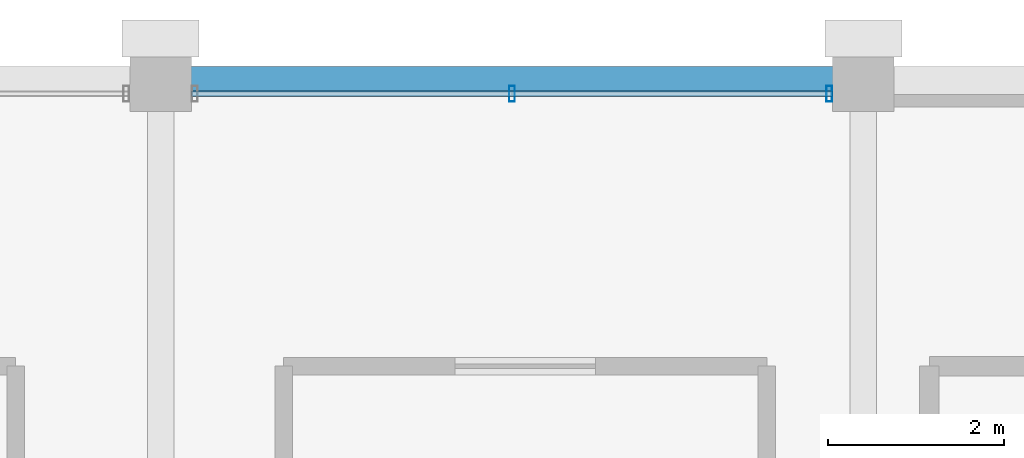
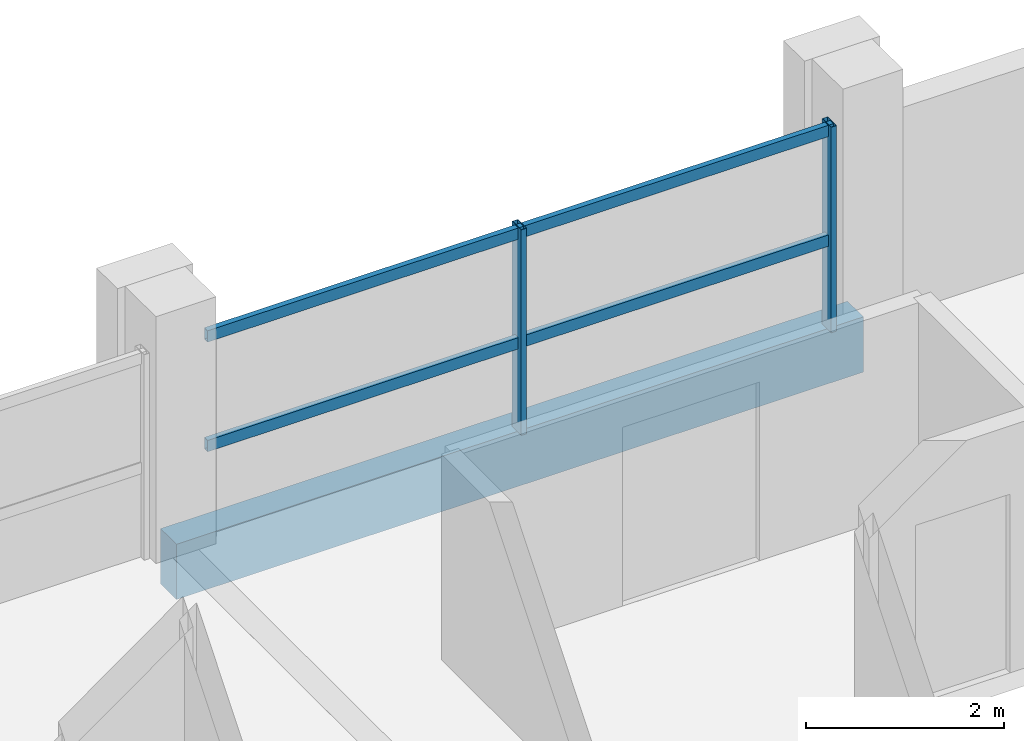
# One storey, part 18 of 24: 4 members, 1 beam, 1 element without a shape of its own.
"""IFC4 building model written with IfcOpenShell, lengths in metres."""

from ifc_helpers import new_model, si_unit, direction, frame, origin, origin_2d, place, context, subcontext, project, spatial, rectangle, hollow_rectangle, extrude, material, material_profile, profile_set, type_object, element, aggregate, save


model = new_model("IFC4")

# Units and contexts
model_context = context("Model", 3, precision=1e-05, world=origin(), true_north=direction((0.0, 1.0)))
body_context = subcontext(model_context, "Body", "Model", "MODEL_VIEW")
ifc_project = project(units=[si_unit("LENGTHUNIT", "METRE"), si_unit("AREAUNIT", "SQUARE_METRE"), si_unit("VOLUMEUNIT", "CUBIC_METRE"), si_unit("PLANEANGLEUNIT", "RADIAN"), si_unit("MASSUNIT", "GRAM", prefix="KILO")], contexts=[model_context])

# Site, building, storey
site_placement = place(None, origin())
site = spatial("IfcSite", under=ifc_project, at=site_placement, CompositionType="ELEMENT")
building_placement = place(site_placement, origin())
building = spatial("IfcBuilding", under=site, at=building_placement, Name="Akrevak Sports Hall", CompositionType="ELEMENT")
storey_placement = place(building_placement, frame((0.0, 0.0, 56.800048828125)))
storey = spatial("IfcBuildingStorey", under=building, at=storey_placement, Name="L14", CompositionType="ELEMENT", Elevation=56.800048828125)

# Curtain wall, members
ifc_material_1 = material(Name="Anodized Bronze Aluminium & Low-E Glass", Category="aluminium")
curtain_wall_type = type_object("IfcCurtainWallType", Name="ARC-CW-TWR-64x30", PredefinedType="NOTDEFINED", material=ifc_material_1)
curtain_wall_placement = place(storey_placement, origin())
curtain_wall = element("IfcCurtainWall", 1, at=curtain_wall_placement, inside=storey, type_object=curtain_wall_type, Name="Curtain Wall CW-L14-N19", PredefinedType="NOTDEFINED")
ifc_material_2 = material(Name="Anodized Bronze Aluminium", Category="aluminium")
ifc_material_profile_1 = material_profile(ifc_material_2, hollow_rectangle(XDim=0.06494140625, YDim=0.179931640625, WallThickness=0.00390625, at=origin_2d()), Name="CWM 65x180", Category="aluminium")
ifc_profile_set_1 = profile_set([ifc_material_profile_1], Name="Anodized Bronze Aluminium")
member_type_1 = type_object("IfcMemberType", Name="ARC-CWM-65x140", PredefinedType="MULLION", material=ifc_profile_set_1)
member_1_placement = place(storey_placement, frame((91.610107421875, 69.449951171875, 0.0), z_axis=(0.0, 0.0, 1.0), x_axis=(-1.0, 0.0, 0.0)))
member_1 = element("IfcMember", 2, at=member_1_placement, type_object=member_type_1, Name="Curtain Wall Mullion CW-L14-N19-M1", PredefinedType="MULLION", context=body_context, shape_type="SweptSolid", body=[
    extrude(hollow_rectangle(XDim=0.06494140625, YDim=0.179931640625, WallThickness=0.00390625, at=origin_2d()), origin(), (0.0, 0.0, 1.0), 2.530029296875),
])
member_2_placement = place(storey_placement, frame((88.0, 69.449951171875, 0.0), z_axis=(0.0, 0.0, 1.0), x_axis=(-1.0, 0.0, 0.0)))
member_2 = element("IfcMember", 3, at=member_2_placement, type_object=member_type_1, Name="Curtain Wall Mullion CW-L14-N19-M2", PredefinedType="MULLION", context=body_context, shape_type="SweptSolid", body=[
    extrude(hollow_rectangle(XDim=0.06494140625, YDim=0.179931640625, WallThickness=0.00390625, at=origin_2d()), origin(), (0.0, 0.0, 1.0), 2.530029296875),
])
ifc_material_profile_2 = material_profile(ifc_material_2, hollow_rectangle(XDim=0.06494140625, YDim=0.139892578125, WallThickness=0.00390625, at=origin_2d()), Name="CWT 65x140", Category="aluminium")
ifc_profile_set_2 = profile_set([ifc_material_profile_2], Name="Anodized Bronze Aluminium")
member_type_2 = type_object("IfcMemberType", Name="ARC-CWT-65x110", PredefinedType="USERDEFINED", material=ifc_profile_set_2)
member_3_placement = place(storey_placement, frame((91.64990234375, 69.449951171875, 1.099853515625), z_axis=(-1.0, 0.0, 0.0), x_axis=(0.0, -1.0, 0.0)))
member_3 = element("IfcMember", 4, at=member_3_placement, type_object=member_type_2, Name="Curtain Wall Transom CW-L14-N19-T1", ObjectType="TRANSOM", PredefinedType="USERDEFINED", context=body_context, shape_type="SweptSolid", body=[
    extrude(hollow_rectangle(XDim=0.06494140625, YDim=0.139892578125, WallThickness=0.00390625, at=origin_2d()), origin(), (0.0, 0.0, 1.0), 7.2998046875),
])
member_4_placement = place(storey_placement, frame((91.64990234375, 69.449951171875, 2.449951171875), z_axis=(-1.0, 0.0, 0.0), x_axis=(0.0, -1.0, 0.0)))
member_4 = element("IfcMember", 5, at=member_4_placement, type_object=member_type_2, Name="Curtain Wall Transom CW-L14-N19-T2", ObjectType="TRANSOM", PredefinedType="USERDEFINED", context=body_context, shape_type="SweptSolid", body=[
    extrude(hollow_rectangle(XDim=0.06494140625, YDim=0.139892578125, WallThickness=0.00390625, at=origin_2d()), origin(), (0.0, 0.0, 1.0), 7.2998046875),
])
aggregate(curtain_wall, [member_1, member_2, member_3, member_4])

# Beam
ifc_material_3 = material(Name="Concrete C40/50", Category="concrete")
ifc_material_profile_3 = material_profile(ifc_material_3, rectangle(XDim=0.320068359375, YDim=0.679931640625, at=origin_2d()), Name="SPD 320x680", Category="concrete")
ifc_profile_set_3 = profile_set([ifc_material_profile_3], Name="Concrete C40/50")
beam_type = type_object("IfcBeamType", Name="STR-SPD-RC320x680", PredefinedType="SPANDREL", material=ifc_profile_set_3)
beam_placement = place(storey_placement, frame((84.0, 69.60009765625, -0.340087890625), z_axis=(1.0, 0.0, 0.0), x_axis=(0.0, 1.0, 0.0)))
element("IfcBeam", 6, at=beam_placement, inside=storey, type_object=beam_type, Name="Girder K/12-13 (L14)", PredefinedType="SPANDREL", context=body_context, shape_type="SweptSolid", body=[
    extrude(rectangle(XDim=0.320068359375, YDim=0.679931640625, at=origin_2d()), origin(), (0.0, 0.0, 1.0), 8.0),
])

save(model, "model.ifc")
